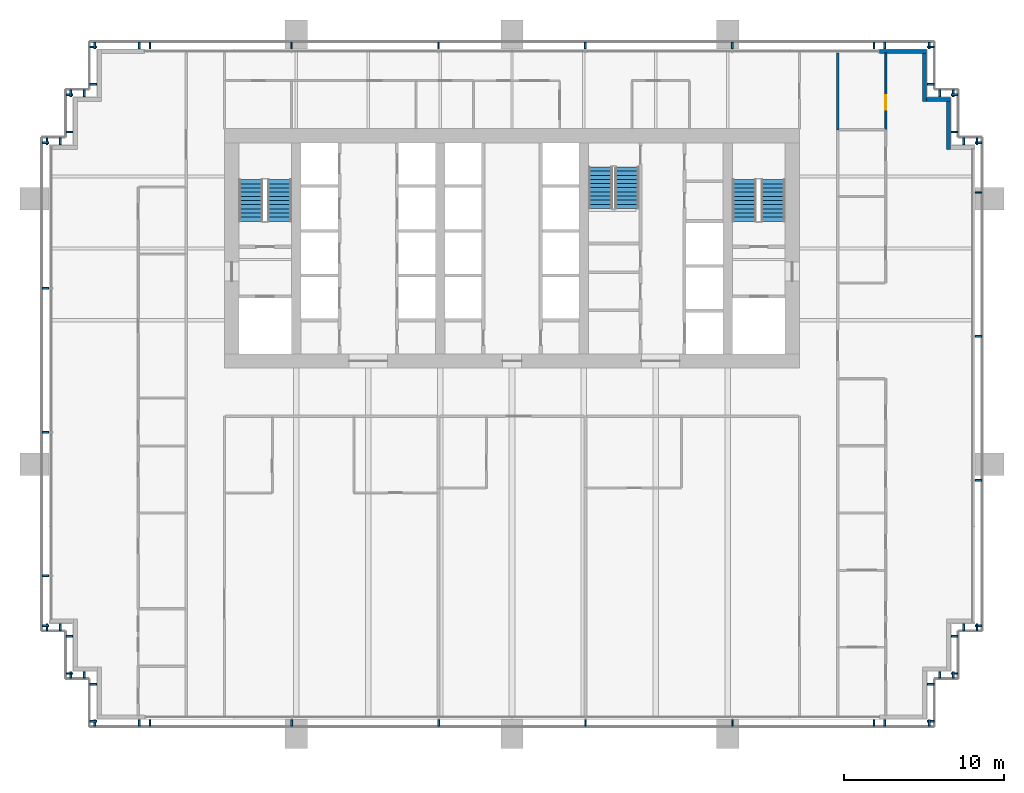
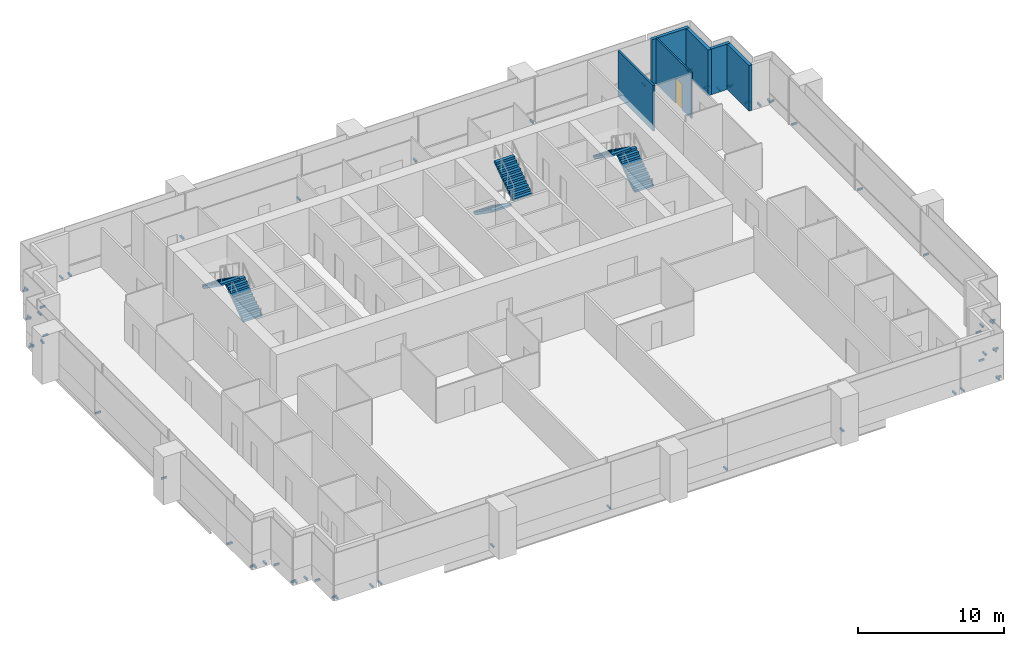
# One storey, part 14 of 17: 62 discrete accessories, 6 stair flights, 6 walls, 1 door, 1 opening, 3 elements without a shape of their own.
"""IFC4 building model written with IfcOpenShell, lengths in metres."""

from ifc_helpers import new_model, si_unit, direction, frame, frame_2d, origin, origin_2d, place, context, subcontext, project, spatial, polyline, rectangle, outline, extrude, material, layer, layer_set, type_object, element, fill, aggregate, save


model = new_model("IFC4")

# Units and contexts
model_context = context("Model", 3, precision=1e-05, world=origin(), true_north=direction((0.0, 1.0)))
body_context = subcontext(model_context, "Body", "Model", "MODEL_VIEW")
ifc_project = project(units=[si_unit("LENGTHUNIT", "METRE"), si_unit("AREAUNIT", "SQUARE_METRE"), si_unit("VOLUMEUNIT", "CUBIC_METRE"), si_unit("PLANEANGLEUNIT", "RADIAN"), si_unit("MASSUNIT", "GRAM", prefix="KILO")], contexts=[model_context])

# Site, building, storey
site_placement = place(None, origin())
site = spatial("IfcSite", under=ifc_project, at=site_placement, CompositionType="ELEMENT")
building_placement = place(site_placement, origin())
building = spatial("IfcBuilding", under=site, at=building_placement, Name="Rattan Terrace Tower", CompositionType="ELEMENT")
storey_placement = place(building_placement, frame((0.0, 0.0, 146.10009765625)))
storey = spatial("IfcBuildingStorey", under=building, at=storey_placement, Name="L33", CompositionType="ELEMENT", Elevation=146.10009765625)

# Walls
ifc_material_1 = material(Name="Insulated aluminium-clad stud wall", Category="aluminium")
ifc_layer_1 = layer(ifc_material_1, 0.25)
ifc_layer_set_1 = layer_set([ifc_layer_1], Name="Facade Riser Wall 250")
wall_type_1 = type_object("IfcWallType", Name="Facade Riser Wall 250", PredefinedType="SOLIDWALL", material=ifc_layer_set_1)
wall_1_placement = place(storey_placement, frame((27.330078125, 6.205078125, 0.0), z_axis=(0.0, 0.0, 1.0), x_axis=(0.0, 1.0, 0.0)))
element("IfcWall", 1, at=wall_1_placement, inside=storey, type_object=wall_type_1, Name="Riser wall L33-7", PredefinedType="SOLIDWALL", context=body_context, shape_type="SweptSolid", body=[
    extrude(rectangle(XDim=3.0, YDim=0.25, at=frame_2d((1.5, 0.0))), origin(), (0.0, 0.0, 1.0), 3.7998046875),
])
wall_2_placement = place(storey_placement, frame((27.455078125, 9.330078125, 0.0), z_axis=(0.0, 0.0, 1.0), x_axis=(-1.0, 0.0, 0.0)))
element("IfcWall", 2, at=wall_2_placement, inside=storey, type_object=wall_type_1, Name="Riser wall L33-8", PredefinedType="SOLIDWALL", context=body_context, shape_type="SweptSolid", body=[
    extrude(rectangle(XDim=1.5, YDim=0.25, at=frame_2d((0.75, 0.0))), origin(), (0.0, 0.0, 1.0), 3.7998046875),
])
wall_3_placement = place(storey_placement, frame((25.830078125, 9.205078125, 0.0), z_axis=(0.0, 0.0, 1.0), x_axis=(0.0, 1.0, 0.0)))
element("IfcWall", 3, at=wall_3_placement, inside=storey, type_object=wall_type_1, Name="Riser wall L33-9", PredefinedType="SOLIDWALL", context=body_context, shape_type="SweptSolid", body=[
    extrude(rectangle(XDim=3.0, YDim=0.25, at=frame_2d((1.5, 0.0))), origin(), (0.0, 0.0, 1.0), 3.7998046875),
])
wall_4_placement = place(storey_placement, frame((25.955078125, 12.330078125, 0.0), z_axis=(0.0, 0.0, 1.0), x_axis=(-1.0, 0.0, 0.0)))
element("IfcWall", 4, at=wall_4_placement, inside=storey, type_object=wall_type_1, Name="Riser wall L33-10", PredefinedType="SOLIDWALL", context=body_context, shape_type="SweptSolid", body=[
    extrude(rectangle(XDim=2.955078125, YDim=0.25, at=frame_2d((1.4775390625, 0.0))), origin(), (0.0, 0.0, 1.0), 3.7998046875),
])
ifc_material_2 = material(Name="Gypsum board partition on steel studs, fire rated", Category="steel")
ifc_layer_2 = layer(ifc_material_2, 0.14990234375)
ifc_layer_set_2 = layer_set([ifc_layer_2], Name="Floors Tenancy Wall 150")
wall_type_2 = type_object("IfcWallType", Name="Floors Tenancy Wall 150", PredefinedType="PARTITIONING", material=ifc_layer_set_2)
wall_5_placement = place(storey_placement, frame((20.39990234375, 12.239990234375, 0.0), z_axis=(0.0, 0.0, 1.0), x_axis=(0.0, -1.0, 0.0)))
element("IfcWall", 5, at=wall_5_placement, inside=storey, type_object=wall_type_2, Name="pt-L33-017", PredefinedType="PARTITIONING", context=body_context, shape_type="SweptSolid", body=[
    extrude(rectangle(XDim=4.820068359375, YDim=0.14990234375, at=frame_2d((2.41015625, 0.0))), origin(), (0.0, 0.0, 1.0), 3.7998046875),
])

# Wall, opening, door
ifc_material_3 = material(Name="Moisture resistant gypsum board partition on steel studs with service cavity", Category="steel")
ifc_layer_3 = layer(ifc_material_3, 0.1201171875)
ifc_layer_set_3 = layer_set([ifc_layer_3], Name="Floors Wet Wall 120")
wall_type_3 = type_object("IfcWallType", Name="Floors Wet Wall 120", PredefinedType="PARTITIONING", material=ifc_layer_set_3)
wall_6_placement = place(storey_placement, frame((23.39990234375, 7.419921875, 0.0), z_axis=(0.0, 0.0, 1.0), x_axis=(0.0, 1.0, 0.0)))
wall_6 = element("IfcWall", 6, at=wall_6_placement, inside=storey, type_object=wall_type_3, Name="pt-L33-054", PredefinedType="PARTITIONING", context=body_context, shape_type="SweptSolid", body=[
    extrude(rectangle(XDim=4.820068359375, YDim=0.1201171875, at=frame_2d((2.41015625, 0.0))), origin(), (0.0, 0.0, 1.0), 3.7998046875),
])
opening_placement = place(wall_6_placement, frame((1.27587890625, 0.0, 0.0)))
opening = element("IfcOpeningElement", 7, at=opening_placement, cuts=wall_6, Name="Opening L33-D116", PredefinedType="OPENING", context=body_context, shape_type="SweptSolid", body=[
    extrude(rectangle(XDim=0.89990234375, YDim=2.10009765625, at=frame_2d((0.449951171875, 1.050048828125))), frame((0.0, 0.070556640625, 0.0), z_axis=(0.0, -1.0, 0.0), x_axis=(1.0, 0.0, 0.0)), (0.0, 0.0, 1.0), 0.14111328125),
])
ifc_material_4 = material(Name="Solid core timber door, painted", Category="wood")
door_type = type_object("IfcDoorType", Name="Floors Door 900x2100", OperationType="NOTDEFINED", PredefinedType="DOOR", material=ifc_material_4)
door_placement = place(opening_placement, origin())
door = element("IfcDoor", 8, at=door_placement, inside=storey, type_object=door_type, Name="d-L33-116", OperationType="SINGLE_SWING_LEFT", OverallHeight=2.10009765625, OverallWidth=0.89990234375, PredefinedType="DOOR", context=body_context, shape_type="SweptSolid", body=[
    extrude(rectangle(XDim=0.89990234375, YDim=2.10009765625, at=frame_2d((0.449951171875, 1.050048828125))), frame((0.0, 0.02490234375, 0.0), z_axis=(0.0, -1.0, 0.0), x_axis=(1.0, 0.0, 0.0)), (0.0, 0.0, 1.0), 0.050048828125),
])
fill(opening, door)

# Stair, stair flights
ifc_material_5 = material(Name="Concrete C40/50", Category="concrete")
stair_type = type_object("IfcStairType", Name="Core exit stair 1500", PredefinedType="HALF_TURN_STAIR", material=ifc_material_5)
stair_1_placement = place(storey_placement, origin())
stair_1 = element("IfcStair", 9, at=stair_1_placement, inside=storey, type_object=stair_type, Name="L33 exit stair 1", PredefinedType="HALF_TURN_STAIR")
ifc_material_6 = material(Name="Concrete C40/50", Category="concrete")
stair_flight_type = type_object("IfcStairFlightType", Name="Core exit stair flight 1500", PredefinedType="STRAIGHT", material=ifc_material_6)
stair_flight_1_placement = place(storey_placement, frame((-14.550048828125, 1.699951171875, 0.0), z_axis=(0.0, 0.0, 1.0), x_axis=(0.0, 1.0, 0.0)))
stair_flight_1 = element("IfcStairFlight", 10, at=stair_flight_1_placement, type_object=stair_flight_type, Name="S1 flight 1", NumberOfRisers=11, NumberOfTreads=10, PredefinedType="STRAIGHT", RiserHeight=0.181818182, TreadLength=0.26, context=body_context, shape_type="SweptSolid", body=[
    extrude(outline(polyline([(0.0, 0.0), (0.0, 0.181884765625), (0.260009765625, 0.181884765625), (0.260009765625, 0.363525390625), (0.52001953125, 0.363525390625), (0.52001953125, 0.54541015625), (0.780029296875, 0.54541015625), (0.780029296875, 0.727294921875), (1.0400390625, 0.727294921875), (1.0400390625, 0.9091796875), (1.300048828125, 0.9091796875), (1.300048828125, 1.0908203125), (1.56005859375, 1.0908203125), (1.56005859375, 1.272705078125), (1.820068359375, 1.272705078125), (1.820068359375, 1.45458984375), (2.080078125, 1.45458984375), (2.080078125, 1.636474609375), (2.340087890625, 1.636474609375), (2.340087890625, 1.818115234375), (2.60009765625, 1.818115234375), (2.60009765625, 2.0), (2.60009765625, 1.63525390625), (0.261474609375, 0.0), (0.0, 0.0)])), frame((0.0, 0.75, 0.0), z_axis=(0.0, -1.0, 0.0), x_axis=(1.0, 0.0, 0.0)), (0.0, 0.0, 1.0), 1.5),
])
stair_flight_2_placement = place(storey_placement, frame((-16.35009765625, 4.300048828125, 2.0), z_axis=(0.0, 0.0, 1.0), x_axis=(0.0, -1.0, 0.0)))
stair_flight_2 = element("IfcStairFlight", 11, at=stair_flight_2_placement, type_object=stair_flight_type, Name="S1 flight 2", NumberOfRisers=11, NumberOfTreads=10, PredefinedType="STRAIGHT", RiserHeight=0.181818182, TreadLength=0.26, context=body_context, shape_type="SweptSolid", body=[
    extrude(outline(polyline([(0.0, 0.0), (0.0, 0.181884765625), (0.260009765625, 0.181884765625), (0.260009765625, 0.363525390625), (0.52001953125, 0.363525390625), (0.52001953125, 0.54541015625), (0.780029296875, 0.54541015625), (0.780029296875, 0.727294921875), (1.0400390625, 0.727294921875), (1.0400390625, 0.9091796875), (1.300048828125, 0.9091796875), (1.300048828125, 1.0908203125), (1.56005859375, 1.0908203125), (1.56005859375, 1.272705078125), (1.820068359375, 1.272705078125), (1.820068359375, 1.45458984375), (2.080078125, 1.45458984375), (2.080078125, 1.636474609375), (2.340087890625, 1.636474609375), (2.340087890625, 1.818115234375), (2.60009765625, 1.818115234375), (2.60009765625, 2.0), (2.60009765625, 1.63525390625), (0.261474609375, 0.0), (0.0, 0.0)])), frame((0.0, 0.75, 0.0), z_axis=(0.0, -1.0, 0.0), x_axis=(1.0, 0.0, 0.0)), (0.0, 0.0, 1.0), 1.5),
])
aggregate(stair_1, [stair_flight_1, stair_flight_2])

stair_2_placement = place(storey_placement, origin())
stair_2 = element("IfcStair", 12, at=stair_2_placement, inside=storey, type_object=stair_type, Name="L33 exit stair 2", PredefinedType="HALF_TURN_STAIR")
stair_flight_3_placement = place(storey_placement, frame((16.35009765625, 1.699951171875, 0.0), z_axis=(0.0, 0.0, 1.0), x_axis=(0.0, 1.0, 0.0)))
stair_flight_3 = element("IfcStairFlight", 13, at=stair_flight_3_placement, type_object=stair_flight_type, Name="S2 flight 1", NumberOfRisers=11, NumberOfTreads=10, PredefinedType="STRAIGHT", RiserHeight=0.181818182, TreadLength=0.26, context=body_context, shape_type="SweptSolid", body=[
    extrude(outline(polyline([(0.0, 0.0), (0.0, 0.181884765625), (0.260009765625, 0.181884765625), (0.260009765625, 0.363525390625), (0.52001953125, 0.363525390625), (0.52001953125, 0.54541015625), (0.780029296875, 0.54541015625), (0.780029296875, 0.727294921875), (1.0400390625, 0.727294921875), (1.0400390625, 0.9091796875), (1.300048828125, 0.9091796875), (1.300048828125, 1.0908203125), (1.56005859375, 1.0908203125), (1.56005859375, 1.272705078125), (1.820068359375, 1.272705078125), (1.820068359375, 1.45458984375), (2.080078125, 1.45458984375), (2.080078125, 1.636474609375), (2.340087890625, 1.636474609375), (2.340087890625, 1.818115234375), (2.60009765625, 1.818115234375), (2.60009765625, 2.0), (2.60009765625, 1.63525390625), (0.261474609375, 0.0), (0.0, 0.0)])), frame((0.0, 0.75, 0.0), z_axis=(0.0, -1.0, 0.0), x_axis=(1.0, 0.0, 0.0)), (0.0, 0.0, 1.0), 1.5),
])
stair_flight_4_placement = place(storey_placement, frame((14.550048828125, 4.300048828125, 2.0), z_axis=(0.0, 0.0, 1.0), x_axis=(0.0, -1.0, 0.0)))
stair_flight_4 = element("IfcStairFlight", 14, at=stair_flight_4_placement, type_object=stair_flight_type, Name="S2 flight 2", NumberOfRisers=11, NumberOfTreads=10, PredefinedType="STRAIGHT", RiserHeight=0.181818182, TreadLength=0.26, context=body_context, shape_type="SweptSolid", body=[
    extrude(outline(polyline([(0.0, 0.0), (0.0, 0.181884765625), (0.260009765625, 0.181884765625), (0.260009765625, 0.363525390625), (0.52001953125, 0.363525390625), (0.52001953125, 0.54541015625), (0.780029296875, 0.54541015625), (0.780029296875, 0.727294921875), (1.0400390625, 0.727294921875), (1.0400390625, 0.9091796875), (1.300048828125, 0.9091796875), (1.300048828125, 1.0908203125), (1.56005859375, 1.0908203125), (1.56005859375, 1.272705078125), (1.820068359375, 1.272705078125), (1.820068359375, 1.45458984375), (2.080078125, 1.45458984375), (2.080078125, 1.636474609375), (2.340087890625, 1.636474609375), (2.340087890625, 1.818115234375), (2.60009765625, 1.818115234375), (2.60009765625, 2.0), (2.60009765625, 1.63525390625), (0.261474609375, 0.0), (0.0, 0.0)])), frame((0.0, 0.75, 0.0), z_axis=(0.0, -1.0, 0.0), x_axis=(1.0, 0.0, 0.0)), (0.0, 0.0, 1.0), 1.5),
])
aggregate(stair_2, [stair_flight_3, stair_flight_4])

stair_3_placement = place(storey_placement, origin())
stair_3 = element("IfcStair", 15, at=stair_3_placement, inside=storey, type_object=stair_type, Name="L33 exit stair 3", PredefinedType="HALF_TURN_STAIR")
stair_flight_5_placement = place(storey_placement, frame((5.550048828125, 5.10009765625, 0.0), z_axis=(0.0, 0.0, 1.0), x_axis=(0.0, -1.0, 0.0)))
stair_flight_5 = element("IfcStairFlight", 16, at=stair_flight_5_placement, type_object=stair_flight_type, Name="S3 flight 1", NumberOfRisers=11, NumberOfTreads=10, PredefinedType="STRAIGHT", RiserHeight=0.181818182, TreadLength=0.26, context=body_context, shape_type="SweptSolid", body=[
    extrude(outline(polyline([(0.0, 0.0), (0.0, 0.181884765625), (0.260009765625, 0.181884765625), (0.260009765625, 0.363525390625), (0.52001953125, 0.363525390625), (0.52001953125, 0.54541015625), (0.780029296875, 0.54541015625), (0.780029296875, 0.727294921875), (1.0400390625, 0.727294921875), (1.0400390625, 0.9091796875), (1.300048828125, 0.9091796875), (1.300048828125, 1.0908203125), (1.56005859375, 1.0908203125), (1.56005859375, 1.272705078125), (1.820068359375, 1.272705078125), (1.820068359375, 1.45458984375), (2.080078125, 1.45458984375), (2.080078125, 1.636474609375), (2.340087890625, 1.636474609375), (2.340087890625, 1.818115234375), (2.60009765625, 1.818115234375), (2.60009765625, 2.0), (2.60009765625, 1.63525390625), (0.261474609375, 0.0), (0.0, 0.0)])), frame((0.0, 0.75, 0.0), z_axis=(0.0, -1.0, 0.0), x_axis=(1.0, 0.0, 0.0)), (0.0, 0.0, 1.0), 1.5),
])
stair_flight_6_placement = place(storey_placement, frame((7.199951171875, 2.5, 2.0), z_axis=(0.0, 0.0, 1.0), x_axis=(0.0, 1.0, 0.0)))
stair_flight_6 = element("IfcStairFlight", 17, at=stair_flight_6_placement, type_object=stair_flight_type, Name="S3 flight 2", NumberOfRisers=11, NumberOfTreads=10, PredefinedType="STRAIGHT", RiserHeight=0.181818182, TreadLength=0.26, context=body_context, shape_type="SweptSolid", body=[
    extrude(outline(polyline([(0.0, 0.0), (0.0, 0.181884765625), (0.260009765625, 0.181884765625), (0.260009765625, 0.363525390625), (0.52001953125, 0.363525390625), (0.52001953125, 0.54541015625), (0.780029296875, 0.54541015625), (0.780029296875, 0.727294921875), (1.0400390625, 0.727294921875), (1.0400390625, 0.9091796875), (1.300048828125, 0.9091796875), (1.300048828125, 1.0908203125), (1.56005859375, 1.0908203125), (1.56005859375, 1.272705078125), (1.820068359375, 1.272705078125), (1.820068359375, 1.45458984375), (2.080078125, 1.45458984375), (2.080078125, 1.636474609375), (2.340087890625, 1.636474609375), (2.340087890625, 1.818115234375), (2.60009765625, 1.818115234375), (2.60009765625, 2.0), (2.60009765625, 1.63525390625), (0.261474609375, 0.0), (0.0, 0.0)])), frame((0.0, 0.75, 0.0), z_axis=(0.0, -1.0, 0.0), x_axis=(1.0, 0.0, 0.0)), (0.0, 0.0, 1.0), 1.5),
])
aggregate(stair_3, [stair_flight_5, stair_flight_6])

# Discrete accessories
for number, where, z_axis, x_axis, name in (
    (18, (23.340087890625, -29.7099609375, -0.169921875), (0.0, 0.0, 1.0), (1.0, 0.0, 0.0), "Panel bracket L33-1"),
    (19, (26.110107421875, -29.7099609375, -0.169921875), (0.0, 0.0, 1.0), (1.0, 0.0, 0.0), "Panel bracket L33-2"),
    (20, (26.2099609375, -29.610107421875, -0.169921875), (0.0, 0.0, 1.0), (0.0, 1.0, 0.0), "Panel bracket L33-3"),
    (21, (26.2099609375, -27.2900390625, -0.169921875), (0.0, 0.0, 1.0), (0.0, 1.0, 0.0), "Panel bracket L33-4"),
    (22, (26.7900390625, -26.7099609375, -0.169921875), (0.0, 0.0, 1.0), (1.0, 0.0, 0.0), "Panel bracket L33-5"),
    (23, (27.610107421875, -26.7099609375, -0.169921875), (0.0, 0.0, 1.0), (1.0, 0.0, 0.0), "Panel bracket L33-6"),
    (24, (27.7099609375, -26.610107421875, -0.169921875), (0.0, 0.0, 1.0), (0.0, 1.0, 0.0), "Panel bracket L33-7"),
    (25, (27.7099609375, -24.2900390625, -0.169921875), (0.0, 0.0, 1.0), (0.0, 1.0, 0.0), "Panel bracket L33-8"),
    (26, (28.2900390625, -23.7099609375, -0.169921875), (0.0, 0.0, 1.0), (1.0, 0.0, 0.0), "Panel bracket L33-9"),
    (27, (29.110107421875, -23.7099609375, -0.169921875), (0.0, 0.0, 1.0), (1.0, 0.0, 0.0), "Panel bracket L33-10"),
    (28, (29.2099609375, -23.610107421875, -0.169921875), (0.0, 0.0, 1.0), (0.0, 1.0, 0.0), "Panel bracket L33-11"),
    (29, (29.2099609375, -14.5, -0.169921875), (0.0, 0.0, 1.0), (0.0, 1.0, 0.0), "Panel bracket L33-12"),
    (30, (29.2099609375, -5.5, -0.169921875), (0.0, 0.0, 1.0), (0.0, 1.0, 0.0), "Panel bracket L33-13"),
    (31, (29.2099609375, 3.5, -0.169921875), (0.0, 0.0, 1.0), (0.0, 1.0, 0.0), "Panel bracket L33-14"),
    (32, (29.2099609375, 6.610107421875, -0.169921875), (0.0, 0.0, 1.0), (0.0, 1.0, 0.0), "Panel bracket L33-15"),
    (33, (29.110107421875, 6.7099609375, -0.169921875), (0.0, 0.0, 1.0), (-1.0, 0.0, 0.0), "Panel bracket L33-16"),
    (34, (28.2900390625, 6.7099609375, -0.169921875), (0.0, 0.0, 1.0), (-1.0, 0.0, 0.0), "Panel bracket L33-17"),
    (35, (27.7099609375, 7.2900390625, -0.169921875), (0.0, 0.0, 1.0), (0.0, 1.0, 0.0), "Panel bracket L33-18"),
    (36, (27.7099609375, 9.610107421875, -0.169921875), (0.0, 0.0, 1.0), (0.0, 1.0, 0.0), "Panel bracket L33-19"),
    (37, (27.610107421875, 9.7099609375, -0.169921875), (0.0, 0.0, 1.0), (-1.0, 0.0, 0.0), "Panel bracket L33-20"),
    (38, (26.7900390625, 9.7099609375, -0.169921875), (0.0, 0.0, 1.0), (-1.0, 0.0, 0.0), "Panel bracket L33-21"),
    (39, (26.2099609375, 10.2900390625, -0.169921875), (0.0, 0.0, 1.0), (0.0, 1.0, 0.0), "Panel bracket L33-22"),
    (40, (26.2099609375, 12.610107421875, -0.169921875), (0.0, 0.0, 1.0), (0.0, 1.0, 0.0), "Panel bracket L33-23"),
    (41, (26.110107421875, 12.7099609375, -0.169921875), (0.0, 0.0, 1.0), (-1.0, 0.0, 0.0), "Panel bracket L33-24"),
    (42, (23.340087890625, 12.7099609375, -0.169921875), (0.0, 0.0, 1.0), (-1.0, 0.0, 0.0), "Panel bracket L33-25"),
    (43, (22.659912109375, 12.7099609375, -0.169921875), (0.0, 0.0, 1.0), (-1.0, 0.0, 0.0), "Panel bracket L33-26"),
    (44, (13.799072265625, 12.7099609375, -0.169921875), (0.0, 0.0, 1.0), (-1.0, 0.0, 0.0), "Panel bracket L33-27"),
    (45, (4.597900390625, 12.7099609375, -0.169921875), (0.0, 0.0, 1.0), (-1.0, 0.0, 0.0), "Panel bracket L33-28"),
    (46, (-4.60302734375, 12.7099609375, -0.169921875), (0.0, 0.0, 1.0), (-1.0, 0.0, 0.0), "Panel bracket L33-29"),
    (47, (-13.803955078125, 12.7099609375, -0.169921875), (0.0, 0.0, 1.0), (-1.0, 0.0, 0.0), "Panel bracket L33-30"),
    (48, (-22.659912109375, 12.7099609375, -0.169921875), (0.0, 0.0, 1.0), (-1.0, 0.0, 0.0), "Panel bracket L33-31"),
    (49, (-23.340087890625, 12.7099609375, -0.169921875), (0.0, 0.0, 1.0), (-1.0, 0.0, 0.0), "Panel bracket L33-32"),
    (50, (-26.110107421875, 12.7099609375, -0.169921875), (0.0, 0.0, 1.0), (-1.0, 0.0, 0.0), "Panel bracket L33-33"),
    (51, (-26.2099609375, 12.610107421875, -0.169921875), (0.0, 0.0, 1.0), (0.0, -1.0, 0.0), "Panel bracket L33-34"),
    (52, (-26.2099609375, 10.2900390625, -0.169921875), (0.0, 0.0, 1.0), (0.0, -1.0, 0.0), "Panel bracket L33-35"),
    (53, (-26.7900390625, 9.7099609375, -0.169921875), (0.0, 0.0, 1.0), (-1.0, 0.0, 0.0), "Panel bracket L33-36"),
    (54, (-27.610107421875, 9.7099609375, -0.169921875), (0.0, 0.0, 1.0), (-1.0, 0.0, 0.0), "Panel bracket L33-37"),
    (55, (-27.7099609375, 9.610107421875, -0.169921875), (0.0, 0.0, 1.0), (0.0, -1.0, 0.0), "Panel bracket L33-38"),
    (56, (-27.7099609375, 7.2900390625, -0.169921875), (0.0, 0.0, 1.0), (0.0, -1.0, 0.0), "Panel bracket L33-39"),
    (57, (-28.2900390625, 6.7099609375, -0.169921875), (0.0, 0.0, 1.0), (-1.0, 0.0, 0.0), "Panel bracket L33-40"),
    (58, (-29.110107421875, 6.7099609375, -0.169921875), (0.0, 0.0, 1.0), (-1.0, 0.0, 0.0), "Panel bracket L33-41"),
    (59, (-29.2099609375, 6.610107421875, -0.169921875), (0.0, 0.0, 1.0), (0.0, -1.0, 0.0), "Panel bracket L33-42"),
    (60, (-29.2099609375, -2.5, -0.169921875), (0.0, 0.0, 1.0), (0.0, -1.0, 0.0), "Panel bracket L33-43"),
    (61, (-29.2099609375, -11.5, -0.169921875), (0.0, 0.0, 1.0), (0.0, -1.0, 0.0), "Panel bracket L33-44"),
    (62, (-29.2099609375, -20.5, -0.169921875), (0.0, 0.0, 1.0), (0.0, -1.0, 0.0), "Panel bracket L33-45"),
    (63, (-29.2099609375, -23.610107421875, -0.169921875), (0.0, 0.0, 1.0), (0.0, -1.0, 0.0), "Panel bracket L33-46"),
    (64, (-29.110107421875, -23.7099609375, -0.169921875), (0.0, 0.0, 1.0), (1.0, 0.0, 0.0), "Panel bracket L33-47"),
    (65, (-28.2900390625, -23.7099609375, -0.169921875), (0.0, 0.0, 1.0), (1.0, 0.0, 0.0), "Panel bracket L33-48"),
    (66, (-27.7099609375, -24.2900390625, -0.169921875), (0.0, 0.0, 1.0), (0.0, -1.0, 0.0), "Panel bracket L33-49"),
    (67, (-27.7099609375, -26.610107421875, -0.169921875), (0.0, 0.0, 1.0), (0.0, -1.0, 0.0), "Panel bracket L33-50"),
    (68, (-27.610107421875, -26.7099609375, -0.169921875), (0.0, 0.0, 1.0), (1.0, 0.0, 0.0), "Panel bracket L33-51"),
    (69, (-26.7900390625, -26.7099609375, -0.169921875), (0.0, 0.0, 1.0), (1.0, 0.0, 0.0), "Panel bracket L33-52"),
    (70, (-26.2099609375, -27.2900390625, -0.169921875), (0.0, 0.0, 1.0), (0.0, -1.0, 0.0), "Panel bracket L33-53"),
    (71, (-26.2099609375, -29.610107421875, -0.169921875), (0.0, 0.0, 1.0), (0.0, -1.0, 0.0), "Panel bracket L33-54"),
    (72, (-26.110107421875, -29.7099609375, -0.169921875), (0.0, 0.0, 1.0), (1.0, 0.0, 0.0), "Panel bracket L33-55"),
    (73, (-23.340087890625, -29.7099609375, -0.169921875), (0.0, 0.0, 1.0), (1.0, 0.0, 0.0), "Panel bracket L33-56"),
    (74, (-22.659912109375, -29.7099609375, -0.169921875), (0.0, 0.0, 1.0), (1.0, 0.0, 0.0), "Panel bracket L33-57"),
    (75, (-13.799072265625, -29.7099609375, -0.169921875), (0.0, 0.0, 1.0), (1.0, 0.0, 0.0), "Panel bracket L33-58"),
    (76, (-4.597900390625, -29.7099609375, -0.169921875), (0.0, 0.0, 1.0), (1.0, 0.0, 0.0), "Panel bracket L33-59"),
    (77, (4.60302734375, -29.7099609375, -0.169921875), (0.0, 0.0, 1.0), (1.0, 0.0, 0.0), "Panel bracket L33-60"),
    (78, (13.803955078125, -29.7099609375, -0.169921875), (0.0, 0.0, 1.0), (1.0, 0.0, 0.0), "Panel bracket L33-61"),
    (79, (22.659912109375, -29.7099609375, -0.169921875), (0.0, 0.0, 1.0), (1.0, 0.0, 0.0), "Panel bracket L33-62"),
):
    element("IfcDiscreteAccessory", number, at=place(storey_placement, frame(where, z_axis=z_axis, x_axis=x_axis)), inside=storey, Name=name, PredefinedType="BRACKET", context=body_context, shape_type="SweptSolid", body=[
        extrude(rectangle(XDim=0.1201171875, YDim=0.419921875, at=origin_2d()), origin(), (0.0, 0.0, 1.0), 0.139892578125),
    ])

save(model, "model.ifc")
